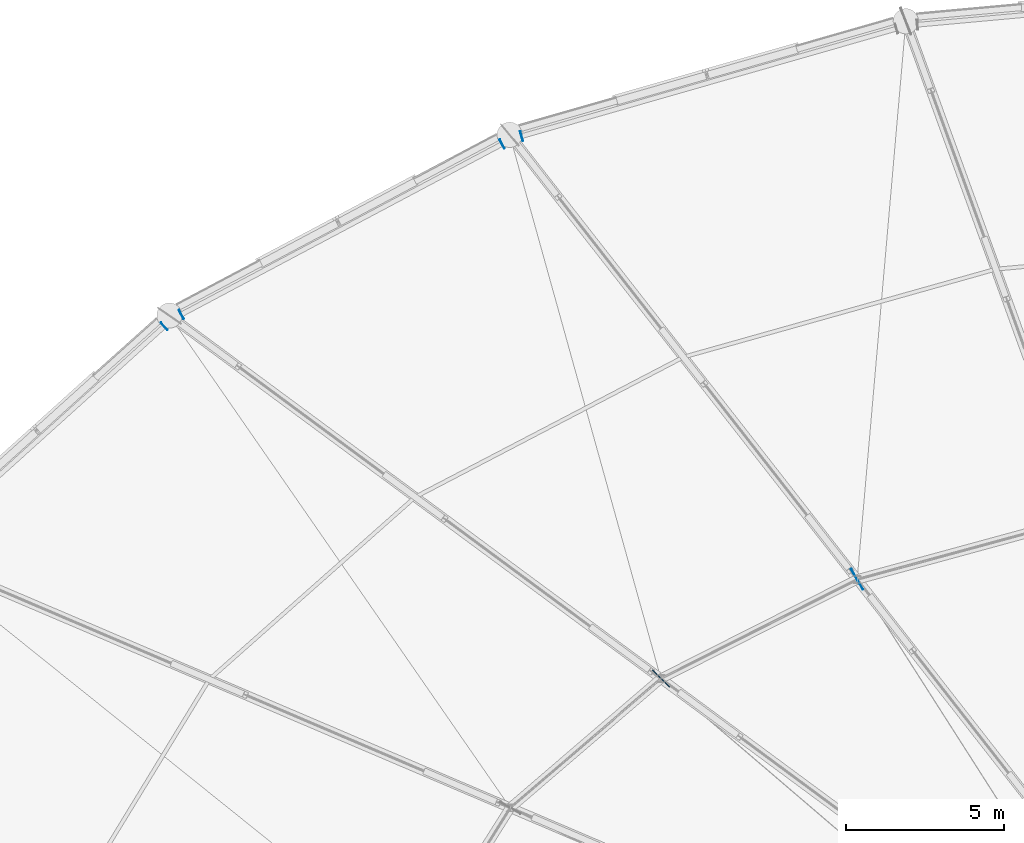
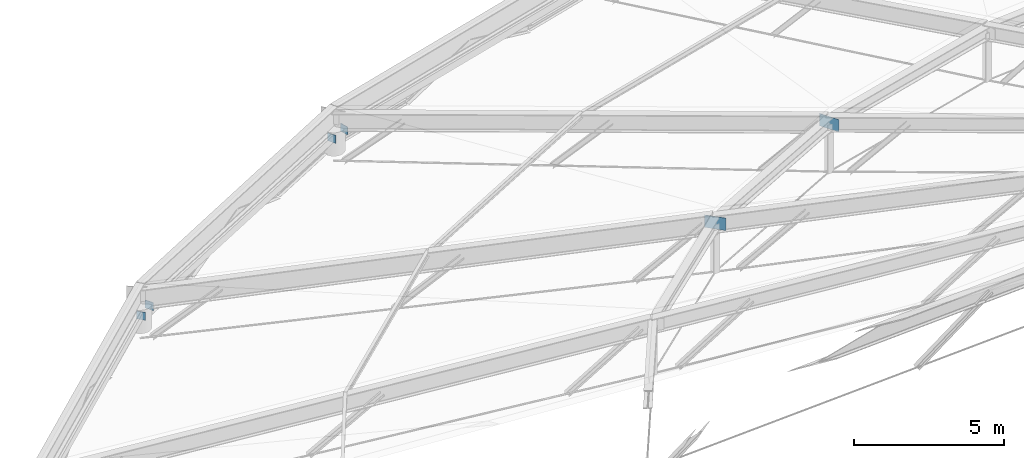
# One storey, part 64 of 83: 6 plates.
"""IFC4 building model written with IfcOpenShell, lengths in metres."""

from ifc_helpers import new_model, si_unit, direction, frame, origin, origin_2d, place, context, subcontext, project, spatial, rectangle, extrude, material, layer, layer_set, type_object, element, save


model = new_model("IFC4")

# Units and contexts
model_context = context("Model", 3, precision=1e-05, world=origin(), true_north=direction((0.0, 1.0)))
body_context = subcontext(model_context, "Body", "Model", "MODEL_VIEW")
ifc_project = project(units=[si_unit("LENGTHUNIT", "METRE"), si_unit("AREAUNIT", "SQUARE_METRE"), si_unit("VOLUMEUNIT", "CUBIC_METRE"), si_unit("PLANEANGLEUNIT", "RADIAN"), si_unit("MASSUNIT", "GRAM", prefix="KILO")], contexts=[model_context])

# Site, building, storey
site_placement = place(None, origin())
site = spatial("IfcSite", under=ifc_project, at=site_placement, CompositionType="ELEMENT")
building_placement = place(site_placement, origin())
building = spatial("IfcBuilding", under=site, at=building_placement, Name="Kivolera Central Railway Station", CompositionType="ELEMENT")
storey_placement = place(building_placement, frame((0.0, 0.0, 14.39990234375)))
storey = spatial("IfcBuildingStorey", under=building, at=storey_placement, Name="L03", CompositionType="ELEMENT", Elevation=14.39990234375)

# Plates
ifc_material = material(Name="Steel S355", Category="steel")
ifc_layer_1 = layer(ifc_material, 0.02490234375, Name="Steel S355")
ifc_layer_set_1 = layer_set([ifc_layer_1], Name="Steel S355")
plate_type_1 = type_object("IfcPlateType", Name="PLT-CAP-320", PredefinedType="SHEET", material=ifc_layer_set_1)
for number, where, z_axis, x_axis, name in (
    (1, (38.376953125, 121.134033203125, 0.735107421875), (-0.961251247527, -0.275673791151, 0.0), (0.275673791151, -0.961251247527, 0.0), "Hollow section end-cap plate NP-CAP1"),
    (2, (37.759033203125, 120.884033203125, 0.735107421875), (-0.883132628524, -0.469123395747, 0.0), (0.469123395747, -0.883132628524, 0.0), "Hollow section end-cap plate NP-CAP1"),
    (3, (27.60791015625, 115.491943359375, 0.735107421875), (-0.883132628524, -0.469123395747, 0.0), (0.469123395747, -0.883132628524, 0.0), "Hollow section end-cap plate NP-CAP1"),
    (4, (27.06689453125, 115.114013671875, 0.735107421875), (-0.742405923756, -0.66995032978, 0.0), (0.66995032978, -0.742405923756, 0.0), "Hollow section end-cap plate NP-CAP1"),
):
    element("IfcPlate", number, at=place(storey_placement, frame(where, z_axis=z_axis, x_axis=x_axis)), inside=storey, type_object=plate_type_1, Name=name, PredefinedType="SHEET", context=body_context, shape_type="SweptSolid", body=[
        extrude(rectangle(XDim=0.320068359375, YDim=0.320068359375, at=origin_2d()), frame((0.0, 0.0, -0.012451171875)), (0.0, 0.0, 1.0), 0.02490234375),
    ])
ifc_layer_2 = layer(ifc_material, 0.02392578125, Name="Steel S355")
ifc_layer_set_2 = layer_set([ifc_layer_2], Name="Steel S355")
plate_type_2 = type_object("IfcPlateType", Name="PLT-GUS-750", PredefinedType="SHEET", material=ifc_layer_set_2)
for number, where, z_axis, x_axis, name in (
    (5, (49.0, 107.10400390625, 5.530029296875), (0.0, 0.0, 1.0), (-0.5, 0.866025403784, 0.0), "Dome Ring Node Gusset Plate R1-09"),
    (6, (42.787109375, 103.965087890625, 5.530029296875), (0.0, 0.0, 1.0), (-0.707106781187, 0.707106781187, 0.0), "Dome Ring Node Gusset Plate R1-10"),
):
    element("IfcPlate", number, at=place(storey_placement, frame(where, z_axis=z_axis, x_axis=x_axis)), inside=storey, type_object=plate_type_2, Name=name, PredefinedType="SHEET", context=body_context, shape_type="SweptSolid", body=[
        extrude(rectangle(XDim=0.75, YDim=0.02392578125, at=origin_2d()), origin(), (0.0, 0.0, 1.0), 0.5),
    ])

save(model, "model.ifc")
